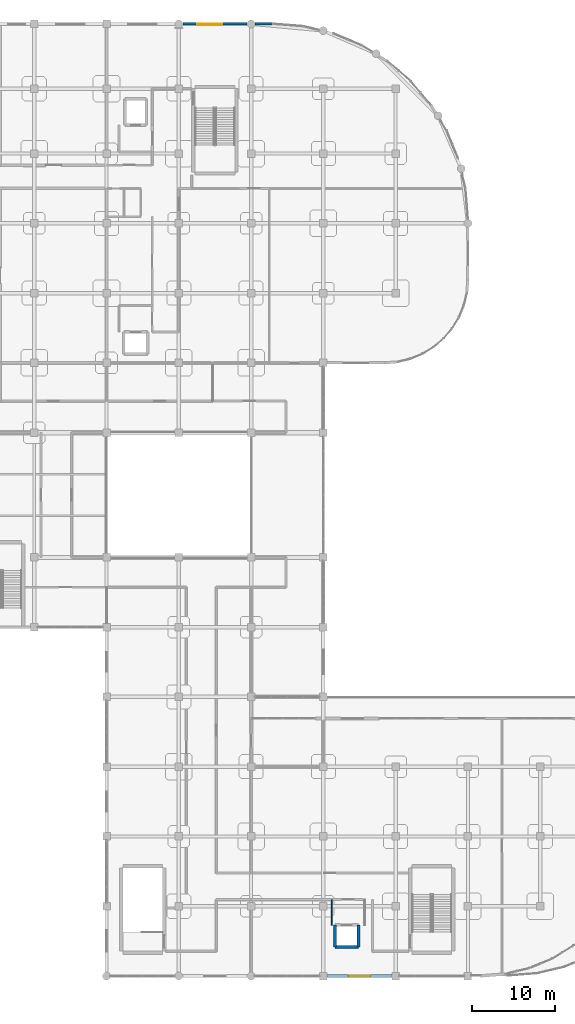
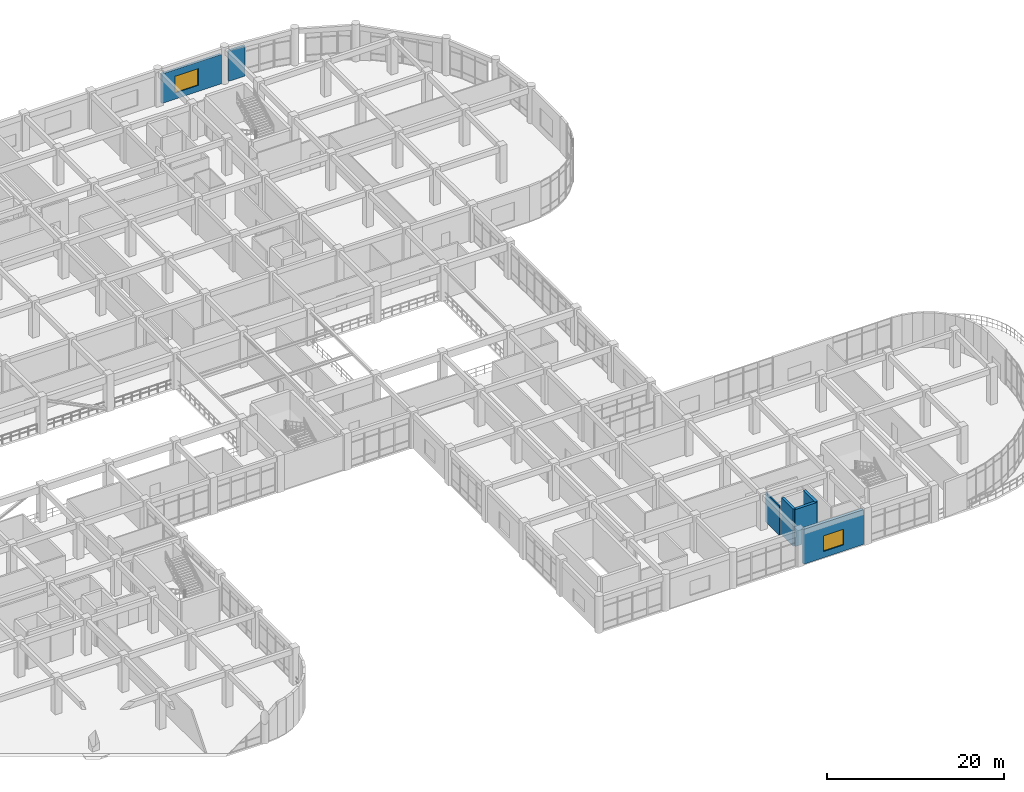
# One storey, part 106 of 120: 7 walls, 2 windows, 2 openings.
"""IFC4 building model written with IfcOpenShell, lengths in metres."""

from ifc_helpers import new_model, si_unit, derived_unit, direction, frame, frame_2d, origin, place, context, subcontext, project, spatial, rectangle, extrude, material, layer, layer_set, type_object, element, fill, save


model = new_model("IFC4")

# Units and contexts
model_context = context("Model", 3, precision=1e-05, world=origin(), true_north=direction((0.0, 1.0)))
body_context = subcontext(model_context, "Body", "Model", "MODEL_VIEW")
ifc_project = project(units=[si_unit("LENGTHUNIT", "METRE"), si_unit("AREAUNIT", "SQUARE_METRE"), si_unit("VOLUMEUNIT", "CUBIC_METRE"), si_unit("PLANEANGLEUNIT", "RADIAN"), si_unit("MASSUNIT", "GRAM", prefix="KILO"), derived_unit("THERMALTRANSMITTANCEUNIT", [(si_unit("MASSUNIT", "GRAM", prefix="KILO"), 1), (si_unit("TIMEUNIT", "SECOND"), -3), (si_unit("THERMODYNAMICTEMPERATUREUNIT", "KELVIN"), -1)])], contexts=[model_context])

# Site, building, storey
site_placement = place(None, origin())
site = spatial("IfcSite", under=ifc_project, at=site_placement, CompositionType="ELEMENT")
building_placement = place(site_placement, origin())
building = spatial("IfcBuilding", under=site, at=building_placement, Name="Qinzheling Arcade Emporium", CompositionType="ELEMENT")
storey_placement = place(building_placement, frame((0.0, 0.0, 11.39990234375)))
storey = spatial("IfcBuildingStorey", under=building, at=storey_placement, Name="L03", CompositionType="ELEMENT", Elevation=11.39990234375)

# Wall, opening, window
ifc_material_1 = material(Name="Glazed cream terracotta on Concrete C40", Category="masonry")
ifc_layer_1 = layer(ifc_material_1, 0.360107421875, Name="Glazed cream terracotta on Concrete C40", Category="masonry")
ifc_layer_set_1 = layer_set([ifc_layer_1], Name="Glazed cream terracotta on Concrete C40")
wall_type_1 = type_object("IfcWallType", Name="Glazed Terracotta Pier Wall 360", PredefinedType="STANDARD", material=ifc_layer_set_1)
wall_1_placement = place(storey_placement, frame((138.748046875, 0.0, 0.0), z_axis=(0.0, 0.0, 1.0), x_axis=(-1.0, 0.0, 0.0)))
wall_1 = element("IfcWall", 1, at=wall_1_placement, inside=storey, type_object=wall_type_1, Name="Exterior Wall WL-L03-EW-0151", PredefinedType="STANDARD", context=body_context, shape_type="SweptSolid", body=[
    extrude(rectangle(XDim=7.796142578125, YDim=0.360107421875, at=frame_2d((3.89794921875, 0.0))), origin(), (0.0, 0.0, 1.0), 4.7900390625),
])
opening_1_placement = place(wall_1_placement, frame((2.597900390625, 0.0, 0.85009765625)))
opening_1 = element("IfcOpeningElement", 2, at=opening_1_placement, cuts=wall_1, Name="Opening WN50", PredefinedType="OPENING", context=body_context, shape_type="SweptSolid", body=[
    extrude(rectangle(XDim=2.60009765625, YDim=2.14990234375, at=frame_2d((1.300048828125, 1.074951171875))), frame((0.0, 0.18994140625, 0.0), z_axis=(0.0, -1.0, 0.0), x_axis=(1.0, 0.0, 0.0)), (0.0, 0.0, 1.0), 0.380126953125),
])
ifc_material_2 = material(Name="Thermally broken aluminium frame with solar-control double glazing", Category="aluminium")
window_type_1 = type_object("IfcWindowType", Name="Chicago Tripartite Window 2600x2150", PartitioningType="TRIPLE_PANEL_VERTICAL", PredefinedType="WINDOW", material=ifc_material_2)
window_1_placement = place(opening_1_placement, origin())
window_1 = element("IfcWindow", 3, at=window_1_placement, inside=storey, type_object=window_type_1, Name="WN50 Window WN-L03-0037", OverallHeight=2.14990234375, OverallWidth=2.60009765625, PartitioningType="TRIPLE_PANEL_VERTICAL", PredefinedType="WINDOW", context=body_context, shape_type="SweptSolid", body=[
    extrude(rectangle(XDim=2.60009765625, YDim=2.14990234375, at=frame_2d((1.300048828125, 1.074951171875))), frame((0.0, 0.030029296875, 0.0), z_axis=(0.0, -1.0, 0.0), x_axis=(1.0, 0.0, 0.0)), (0.0, 0.0, 1.0), 0.06005859375),
])
fill(opening_1, window_1)

ifc_material_3 = material(Name="Buff glazed terracotta insulated wall", Category="masonry")
ifc_layer_2 = layer(ifc_material_3, 0.2900390625, Name="Buff glazed terracotta insulated wall", Category="masonry")
ifc_layer_set_2 = layer_set([ifc_layer_2], Name="Buff glazed terracotta insulated wall")
wall_type_2 = type_object("IfcWallType", Name="Office Bar Terracotta Wall 290", PredefinedType="STANDARD", material=ifc_layer_set_2)
wall_2_placement = place(storey_placement, frame((113.576904296875, 114.60009765625, 0.0), z_axis=(0.0, 0.0, 1.0), x_axis=(1.0, 0.0, 0.0)))
wall_2 = element("IfcWall", 4, at=wall_2_placement, inside=storey, type_object=wall_type_2, Name="Exterior Wall WL-L03-EW-0189", PredefinedType="STANDARD", context=body_context, shape_type="SweptSolid", body=[
    extrude(rectangle(XDim=7.74609375, YDim=0.2900390625, at=frame_2d((3.873046875, 0.0))), origin(), (0.0, 0.0, 1.0), 4.05517578125),
])
opening_2_placement = place(wall_2_placement, frame((1.739990234375, 0.0, 0.85009765625)))
opening_2 = element("IfcOpeningElement", 5, at=opening_2_placement, cuts=wall_2, Name="Opening WN40", PredefinedType="OPENING", context=body_context, shape_type="SweptSolid", body=[
    extrude(rectangle(XDim=3.0, YDim=2.300048828125, at=frame_2d((1.5, 1.14990234375))), frame((0.0, 0.155029296875, 0.0), z_axis=(0.0, -1.0, 0.0), x_axis=(1.0, 0.0, 0.0)), (0.0, 0.0, 1.0), 0.31005859375),
])
window_type_2 = type_object("IfcWindowType", Name="Chicago Tripartite Window 3000x2300", PartitioningType="TRIPLE_PANEL_VERTICAL", PredefinedType="WINDOW", material=ifc_material_2)
window_2_placement = place(opening_2_placement, origin())
window_2 = element("IfcWindow", 6, at=window_2_placement, inside=storey, type_object=window_type_2, Name="WN40 Window WN-L03-0051", OverallHeight=2.300048828125, OverallWidth=3.0, PartitioningType="TRIPLE_PANEL_VERTICAL", PredefinedType="WINDOW", context=body_context, shape_type="SweptSolid", body=[
    extrude(rectangle(XDim=3.0, YDim=2.300048828125, at=frame_2d((1.5, 1.14990234375))), frame((0.0, 0.030029296875, 0.0), z_axis=(0.0, -1.0, 0.0), x_axis=(1.0, 0.0, 0.0)), (0.0, 0.0, 1.0), 0.06005859375),
])
fill(opening_2, window_2)

# Walls
wall_3_placement = place(storey_placement, frame((122.277099609375, 114.60009765625, 0.0), z_axis=(0.0, 0.0, 1.0), x_axis=(1.0, 0.0, 0.0)))
element("IfcWall", 7, at=wall_3_placement, inside=storey, type_object=wall_type_2, Name="Exterior Wall WL-L03-EW-0190", PredefinedType="STANDARD", context=body_context, shape_type="SweptSolid", body=[
    extrude(rectangle(XDim=2.122802734375, YDim=0.2900390625, at=frame_2d((1.0615234375, 0.0))), origin(), (0.0, 0.0, 1.0), 4.155029296875),
])
ifc_material_4 = material(Name="Concrete C40", Category="concrete")
ifc_layer_3 = layer(ifc_material_4, 0.35009765625, Name="Concrete C40", Category="concrete")
ifc_layer_set_3 = layer_set([ifc_layer_3], Name="Concrete C40")
wall_type_3 = type_object("IfcWallType", Name="RC Lift Shaft Shear Wall 350 C40", PredefinedType="SHEAR", material=ifc_layer_set_3)
wall_4_placement = place(storey_placement, frame((134.72509765625, 3.47509765625, 0.0), z_axis=(0.0, 0.0, 1.0), x_axis=(-1.0, 0.0, 0.0)))
element("IfcWall", 8, at=wall_4_placement, inside=storey, type_object=wall_type_3, Name="Lift Shaft Wall WL-L03-LFT-LP05-S", PredefinedType="SHEAR", context=body_context, shape_type="SweptSolid", body=[
    extrude(rectangle(XDim=2.85009765625, YDim=0.35009765625, at=frame_2d((1.425048828125, 0.0))), origin(), (0.0, 0.0, 1.0), 5.10009765625),
])
for number, where, z_axis, x_axis, name in (
    (9, (131.875, 3.47509765625, 0.0), (0.0, 0.0, 1.0), (0.0, 1.0, 0.0), "Lift Shaft Wall WL-L03-LFT-LP05-W"),
    (10, (134.72509765625, 6.125, 0.0), (0.0, 0.0, 1.0), (0.0, -1.0, 0.0), "Lift Shaft Wall WL-L03-LFT-LP05-E"),
):
    element("IfcWall", number, at=place(storey_placement, frame(where, z_axis=z_axis, x_axis=x_axis)), inside=storey, type_object=wall_type_3, Name=name, PredefinedType="SHEAR", context=body_context, shape_type="SweptSolid", body=[
        extrude(rectangle(XDim=2.64990234375, YDim=0.35009765625, at=frame_2d((1.324951171875, 0.0))), origin(), (0.0, 0.0, 1.0), 5.10009765625),
    ])
ifc_material_5 = material(Name="Moisture-resistant tea room partition")
ifc_layer_4 = layer(ifc_material_5, 0.1298828125, Name="Moisture-resistant tea room partition")
ifc_layer_set_4 = layer_set([ifc_layer_4], Name="Moisture-resistant tea room partition")
wall_type_4 = type_object("IfcWallType", Name="Tea Room Partition Wall 130", PredefinedType="PARTITIONING", material=ifc_layer_set_4)
wall_5_placement = place(storey_placement, frame((131.5, 6.1298828125, 0.0), z_axis=(0.0, 0.0, 1.0), x_axis=(0.0, 1.0, 0.0)))
element("IfcWall", 11, at=wall_5_placement, inside=storey, type_object=wall_type_4, Name="Interior Wall WL-L03-INT-0444", PredefinedType="PARTITIONING", context=body_context, shape_type="SweptSolid", body=[
    extrude(rectangle(XDim=3.070068359375, YDim=0.1298828125, at=frame_2d((1.53515625, 0.0))), origin(), (0.0, 0.0, 1.0), 4.045166015625),
])

save(model, "model.ifc")
